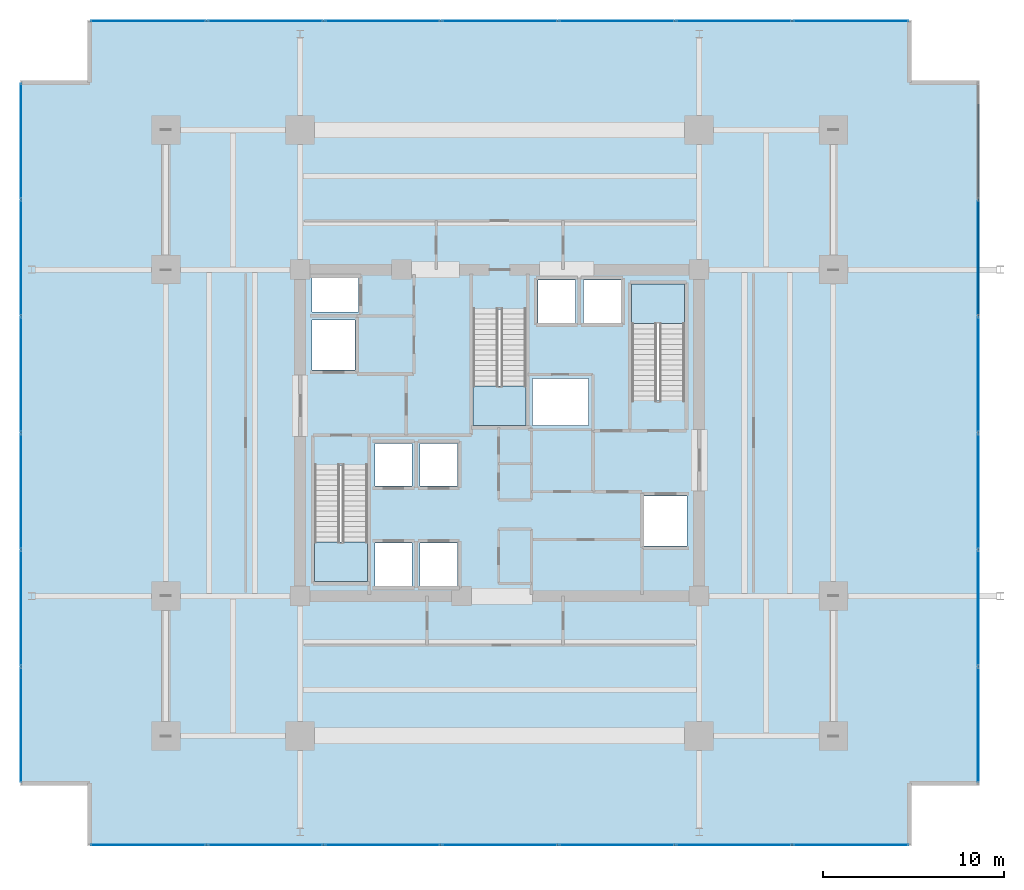
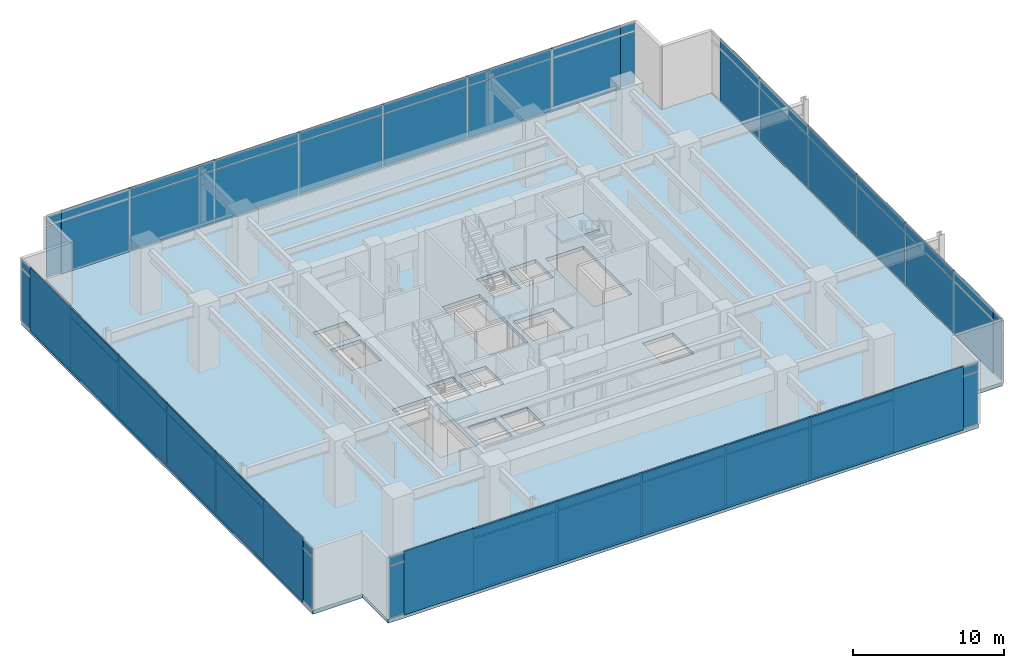
# One storey, part 18 of 23: 53 plates, 4 slabs, 7 elements without a shape of their own.
"""IFC4 building model written with IfcOpenShell, lengths in metres."""

from ifc_helpers import new_model, si_unit, direction, frame, origin, origin_2d, place, context, subcontext, project, spatial, polyline, rectangle, outline, extrude, material, layer, layer_set, type_object, element, aggregate, save


model = new_model("IFC4")

# Units and contexts
model_context = context("Model", 3, precision=1e-05, world=origin(), true_north=direction((0.0, 1.0)))
body_context = subcontext(model_context, "Body", "Model", "MODEL_VIEW")
ifc_project = project(units=[si_unit("LENGTHUNIT", "METRE"), si_unit("AREAUNIT", "SQUARE_METRE"), si_unit("VOLUMEUNIT", "CUBIC_METRE"), si_unit("PLANEANGLEUNIT", "RADIAN"), si_unit("MASSUNIT", "GRAM", prefix="KILO")], contexts=[model_context])

# Site, building, storey
site_placement = place(None, origin())
site = spatial("IfcSite", under=ifc_project, at=site_placement, CompositionType="ELEMENT")
building_placement = place(site_placement, origin())
building = spatial("IfcBuilding", under=site, at=building_placement, Name="Kovane Verandah Tower", CompositionType="ELEMENT")
storey_placement = place(building_placement, frame((0.0, 0.0, 107.60009765625)))
storey = spatial("IfcBuildingStorey", under=building, at=storey_placement, Name="L25", CompositionType="ELEMENT", Elevation=107.60009765625)

# Curtain wall, plates
ifc_material_1 = material(Name="Champagne Anodised Aluminium Frame with Low-E Clear Laminated Glass", Category="aluminium")
curtain_wall_type = type_object("IfcCurtainWallType", Name="CW-SYS-02-LOW", PredefinedType="NOTDEFINED", material=ifc_material_1)
curtain_wall_1_placement = place(storey_placement, origin())
curtain_wall_1 = element("IfcCurtainWall", 1, at=curtain_wall_1_placement, inside=storey, type_object=curtain_wall_type, Name="L25 S Unitised Curtain Wall", PredefinedType="NOTDEFINED")
ifc_material_2 = material(Name="Pale Champagne Anodised Aluminium Insulated Spandrel", Category="aluminium")
ifc_layer_1 = layer(ifc_material_2, 0.0400390625)
ifc_layer_set_1 = layer_set([ifc_layer_1], Name="Pale Champagne Anodised Aluminium Insulated Spandrel")
plate_type_1 = type_object("IfcPlateType", Name="PL-CW-SPD-40", PredefinedType="SHEET", material=ifc_layer_set_1)
plate_1_placement = place(storey_placement, frame((20.6396484375, 4.7890625, 4.3701171875), z_axis=(0.0, 0.0, 1.0), x_axis=(1.0, 0.0, 0.0)))
plate_1 = element("IfcPlate", 2, at=plate_1_placement, type_object=plate_type_1, Name="L25 S Unitised Curtain Wall Spandrel Panel 1", PredefinedType="SHEET", context=body_context, shape_type="SweptSolid", body=[
    extrude(rectangle(XDim=6.3134765625, YDim=0.0400390625, at=origin_2d()), origin(), (0.0, 0.0, 1.0), 0.639892578125),
])
plate_2_placement = place(storey_placement, frame((27.093017578125, 4.7890625, 4.3701171875), z_axis=(0.0, 0.0, 1.0), x_axis=(1.0, 0.0, 0.0)))
plate_2 = element("IfcPlate", 3, at=plate_2_placement, type_object=plate_type_1, Name="L25 S Unitised Curtain Wall Spandrel Panel 2", PredefinedType="SHEET", context=body_context, shape_type="SweptSolid", body=[
    extrude(rectangle(XDim=6.3134765625, YDim=0.0400390625, at=origin_2d()), origin(), (0.0, 0.0, 1.0), 0.639892578125),
])
plate_3_placement = place(storey_placement, frame((33.546630859375, 4.7890625, 4.3701171875), z_axis=(0.0, 0.0, 1.0), x_axis=(1.0, 0.0, 0.0)))
plate_3 = element("IfcPlate", 4, at=plate_3_placement, type_object=plate_type_1, Name="L25 S Unitised Curtain Wall Spandrel Panel 3", PredefinedType="SHEET", context=body_context, shape_type="SweptSolid", body=[
    extrude(rectangle(XDim=6.3134765625, YDim=0.0400390625, at=origin_2d()), origin(), (0.0, 0.0, 1.0), 0.639892578125),
])
plate_4_placement = place(storey_placement, frame((40.0, 4.7890625, 4.3701171875), z_axis=(0.0, 0.0, 1.0), x_axis=(1.0, 0.0, 0.0)))
plate_4 = element("IfcPlate", 5, at=plate_4_placement, type_object=plate_type_1, Name="L25 S Unitised Curtain Wall Spandrel Panel 4", PredefinedType="SHEET", context=body_context, shape_type="SweptSolid", body=[
    extrude(rectangle(XDim=6.3134765625, YDim=0.0400390625, at=origin_2d()), origin(), (0.0, 0.0, 1.0), 0.639892578125),
])
plate_5_placement = place(storey_placement, frame((46.453369140625, 4.7890625, 4.3701171875), z_axis=(0.0, 0.0, 1.0), x_axis=(1.0, 0.0, 0.0)))
plate_5 = element("IfcPlate", 6, at=plate_5_placement, type_object=plate_type_1, Name="L25 S Unitised Curtain Wall Spandrel Panel 5", PredefinedType="SHEET", context=body_context, shape_type="SweptSolid", body=[
    extrude(rectangle(XDim=6.3134765625, YDim=0.0400390625, at=origin_2d()), origin(), (0.0, 0.0, 1.0), 0.639892578125),
])
plate_6_placement = place(storey_placement, frame((52.906982421875, 4.7890625, 4.3701171875), z_axis=(0.0, 0.0, 1.0), x_axis=(1.0, 0.0, 0.0)))
plate_6 = element("IfcPlate", 7, at=plate_6_placement, type_object=plate_type_1, Name="L25 S Unitised Curtain Wall Spandrel Panel 6", PredefinedType="SHEET", context=body_context, shape_type="SweptSolid", body=[
    extrude(rectangle(XDim=6.3134765625, YDim=0.0400390625, at=origin_2d()), origin(), (0.0, 0.0, 1.0), 0.639892578125),
])
plate_7_placement = place(storey_placement, frame((59.3603515625, 4.7890625, 4.3701171875), z_axis=(0.0, 0.0, 1.0), x_axis=(1.0, 0.0, 0.0)))
plate_7 = element("IfcPlate", 8, at=plate_7_placement, type_object=plate_type_1, Name="L25 S Unitised Curtain Wall Spandrel Panel 7", PredefinedType="SHEET", context=body_context, shape_type="SweptSolid", body=[
    extrude(rectangle(XDim=6.3134765625, YDim=0.0400390625, at=origin_2d()), origin(), (0.0, 0.0, 1.0), 0.639892578125),
])

curtain_wall_2_placement = place(storey_placement, origin())
curtain_wall_2 = element("IfcCurtainWall", 9, at=curtain_wall_2_placement, inside=storey, type_object=curtain_wall_type, Name="L25 E Unitised Curtain Wall", PredefinedType="NOTDEFINED")
plate_8_placement = place(storey_placement, frame((66.386962890625, 11.40771484375, 4.3701171875), z_axis=(0.0, 0.0, 1.0), x_axis=(0.0, 1.0, 0.0)))
plate_8 = element("IfcPlate", 10, at=plate_8_placement, type_object=plate_type_1, Name="L25 E Unitised Curtain Wall Spandrel Panel 1", PredefinedType="SHEET", context=body_context, shape_type="SweptSolid", body=[
    extrude(rectangle(XDim=6.297119140625, YDim=0.0400390625, at=origin_2d()), origin(), (0.0, 0.0, 1.0), 0.639892578125),
])
plate_9_placement = place(storey_placement, frame((66.386962890625, 17.844482421875, 4.3701171875), z_axis=(0.0, 0.0, 1.0), x_axis=(0.0, 1.0, 0.0)))
plate_9 = element("IfcPlate", 11, at=plate_9_placement, type_object=plate_type_1, Name="L25 E Unitised Curtain Wall Spandrel Panel 2", PredefinedType="SHEET", context=body_context, shape_type="SweptSolid", body=[
    extrude(rectangle(XDim=6.297119140625, YDim=0.0400390625, at=origin_2d()), origin(), (0.0, 0.0, 1.0), 0.639892578125),
])
plate_10_placement = place(storey_placement, frame((66.386962890625, 24.281494140625, 4.3701171875), z_axis=(0.0, 0.0, 1.0), x_axis=(0.0, 1.0, 0.0)))
plate_10 = element("IfcPlate", 12, at=plate_10_placement, type_object=plate_type_1, Name="L25 E Unitised Curtain Wall Spandrel Panel 3", PredefinedType="SHEET", context=body_context, shape_type="SweptSolid", body=[
    extrude(rectangle(XDim=6.297119140625, YDim=0.0400390625, at=origin_2d()), origin(), (0.0, 0.0, 1.0), 0.639892578125),
])
plate_11_placement = place(storey_placement, frame((66.386962890625, 30.718505859375, 4.3701171875), z_axis=(0.0, 0.0, 1.0), x_axis=(0.0, 1.0, 0.0)))
plate_11 = element("IfcPlate", 13, at=plate_11_placement, type_object=plate_type_1, Name="L25 E Unitised Curtain Wall Spandrel Panel 4", PredefinedType="SHEET", context=body_context, shape_type="SweptSolid", body=[
    extrude(rectangle(XDim=6.297119140625, YDim=0.0400390625, at=origin_2d()), origin(), (0.0, 0.0, 1.0), 0.639892578125),
])

curtain_wall_3_placement = place(storey_placement, origin())
curtain_wall_3 = element("IfcCurtainWall", 14, at=curtain_wall_3_placement, inside=storey, type_object=curtain_wall_type, Name="L25 N Unitised Curtain Wall", PredefinedType="NOTDEFINED")
plate_12_placement = place(storey_placement, frame((59.3603515625, 50.2109375, 4.3701171875), z_axis=(0.0, 0.0, 1.0), x_axis=(-1.0, 0.0, 0.0)))
plate_12 = element("IfcPlate", 15, at=plate_12_placement, type_object=plate_type_1, Name="L25 N Unitised Curtain Wall Spandrel Panel 1", PredefinedType="SHEET", context=body_context, shape_type="SweptSolid", body=[
    extrude(rectangle(XDim=6.3134765625, YDim=0.0400390625, at=origin_2d()), origin(), (0.0, 0.0, 1.0), 0.639892578125),
])
plate_13_placement = place(storey_placement, frame((52.906982421875, 50.2109375, 4.3701171875), z_axis=(0.0, 0.0, 1.0), x_axis=(-1.0, 0.0, 0.0)))
plate_13 = element("IfcPlate", 16, at=plate_13_placement, type_object=plate_type_1, Name="L25 N Unitised Curtain Wall Spandrel Panel 2", PredefinedType="SHEET", context=body_context, shape_type="SweptSolid", body=[
    extrude(rectangle(XDim=6.3134765625, YDim=0.0400390625, at=origin_2d()), origin(), (0.0, 0.0, 1.0), 0.639892578125),
])
plate_14_placement = place(storey_placement, frame((46.453369140625, 50.2109375, 4.3701171875), z_axis=(0.0, 0.0, 1.0), x_axis=(-1.0, 0.0, 0.0)))
plate_14 = element("IfcPlate", 17, at=plate_14_placement, type_object=plate_type_1, Name="L25 N Unitised Curtain Wall Spandrel Panel 3", PredefinedType="SHEET", context=body_context, shape_type="SweptSolid", body=[
    extrude(rectangle(XDim=6.3134765625, YDim=0.0400390625, at=origin_2d()), origin(), (0.0, 0.0, 1.0), 0.639892578125),
])
plate_15_placement = place(storey_placement, frame((40.0, 50.2109375, 4.3701171875), z_axis=(0.0, 0.0, 1.0), x_axis=(-1.0, 0.0, 0.0)))
plate_15 = element("IfcPlate", 18, at=plate_15_placement, type_object=plate_type_1, Name="L25 N Unitised Curtain Wall Spandrel Panel 4", PredefinedType="SHEET", context=body_context, shape_type="SweptSolid", body=[
    extrude(rectangle(XDim=6.3134765625, YDim=0.0400390625, at=origin_2d()), origin(), (0.0, 0.0, 1.0), 0.639892578125),
])
plate_16_placement = place(storey_placement, frame((33.546630859375, 50.2109375, 4.3701171875), z_axis=(0.0, 0.0, 1.0), x_axis=(-1.0, 0.0, 0.0)))
plate_16 = element("IfcPlate", 19, at=plate_16_placement, type_object=plate_type_1, Name="L25 N Unitised Curtain Wall Spandrel Panel 5", PredefinedType="SHEET", context=body_context, shape_type="SweptSolid", body=[
    extrude(rectangle(XDim=6.3134765625, YDim=0.0400390625, at=origin_2d()), origin(), (0.0, 0.0, 1.0), 0.639892578125),
])
plate_17_placement = place(storey_placement, frame((27.093017578125, 50.2109375, 4.3701171875), z_axis=(0.0, 0.0, 1.0), x_axis=(-1.0, 0.0, 0.0)))
plate_17 = element("IfcPlate", 20, at=plate_17_placement, type_object=plate_type_1, Name="L25 N Unitised Curtain Wall Spandrel Panel 6", PredefinedType="SHEET", context=body_context, shape_type="SweptSolid", body=[
    extrude(rectangle(XDim=6.3134765625, YDim=0.0400390625, at=origin_2d()), origin(), (0.0, 0.0, 1.0), 0.639892578125),
])
plate_18_placement = place(storey_placement, frame((20.6396484375, 50.2109375, 4.3701171875), z_axis=(0.0, 0.0, 1.0), x_axis=(-1.0, 0.0, 0.0)))
plate_18 = element("IfcPlate", 21, at=plate_18_placement, type_object=plate_type_1, Name="L25 N Unitised Curtain Wall Spandrel Panel 7", PredefinedType="SHEET", context=body_context, shape_type="SweptSolid", body=[
    extrude(rectangle(XDim=6.3134765625, YDim=0.0400390625, at=origin_2d()), origin(), (0.0, 0.0, 1.0), 0.639892578125),
])

curtain_wall_4_placement = place(storey_placement, origin())
curtain_wall_4 = element("IfcCurtainWall", 22, at=curtain_wall_4_placement, inside=storey, type_object=curtain_wall_type, Name="L25 W Unitised Curtain Wall", PredefinedType="NOTDEFINED")
plate_19_placement = place(storey_placement, frame((13.613037109375, 43.59228515625, 4.3701171875), z_axis=(0.0, 0.0, 1.0), x_axis=(0.0, -1.0, 0.0)))
plate_19 = element("IfcPlate", 23, at=plate_19_placement, type_object=plate_type_1, Name="L25 W Unitised Curtain Wall Spandrel Panel 1", PredefinedType="SHEET", context=body_context, shape_type="SweptSolid", body=[
    extrude(rectangle(XDim=6.297119140625, YDim=0.0400390625, at=origin_2d()), origin(), (0.0, 0.0, 1.0), 0.639892578125),
])
plate_20_placement = place(storey_placement, frame((13.613037109375, 37.155517578125, 4.3701171875), z_axis=(0.0, 0.0, 1.0), x_axis=(0.0, -1.0, 0.0)))
plate_20 = element("IfcPlate", 24, at=plate_20_placement, type_object=plate_type_1, Name="L25 W Unitised Curtain Wall Spandrel Panel 2", PredefinedType="SHEET", context=body_context, shape_type="SweptSolid", body=[
    extrude(rectangle(XDim=6.297119140625, YDim=0.0400390625, at=origin_2d()), origin(), (0.0, 0.0, 1.0), 0.639892578125),
])
plate_21_placement = place(storey_placement, frame((13.613037109375, 30.718505859375, 4.3701171875), z_axis=(0.0, 0.0, 1.0), x_axis=(0.0, -1.0, 0.0)))
plate_21 = element("IfcPlate", 25, at=plate_21_placement, type_object=plate_type_1, Name="L25 W Unitised Curtain Wall Spandrel Panel 3", PredefinedType="SHEET", context=body_context, shape_type="SweptSolid", body=[
    extrude(rectangle(XDim=6.297119140625, YDim=0.0400390625, at=origin_2d()), origin(), (0.0, 0.0, 1.0), 0.639892578125),
])
plate_22_placement = place(storey_placement, frame((13.613037109375, 24.281494140625, 4.3701171875), z_axis=(0.0, 0.0, 1.0), x_axis=(0.0, -1.0, 0.0)))
plate_22 = element("IfcPlate", 26, at=plate_22_placement, type_object=plate_type_1, Name="L25 W Unitised Curtain Wall Spandrel Panel 4", PredefinedType="SHEET", context=body_context, shape_type="SweptSolid", body=[
    extrude(rectangle(XDim=6.297119140625, YDim=0.0400390625, at=origin_2d()), origin(), (0.0, 0.0, 1.0), 0.639892578125),
])
plate_23_placement = place(storey_placement, frame((13.613037109375, 17.844482421875, 4.3701171875), z_axis=(0.0, 0.0, 1.0), x_axis=(0.0, -1.0, 0.0)))
plate_23 = element("IfcPlate", 27, at=plate_23_placement, type_object=plate_type_1, Name="L25 W Unitised Curtain Wall Spandrel Panel 5", PredefinedType="SHEET", context=body_context, shape_type="SweptSolid", body=[
    extrude(rectangle(XDim=6.297119140625, YDim=0.0400390625, at=origin_2d()), origin(), (0.0, 0.0, 1.0), 0.639892578125),
])
plate_24_placement = place(storey_placement, frame((13.613037109375, 11.40771484375, 4.3701171875), z_axis=(0.0, 0.0, 1.0), x_axis=(0.0, -1.0, 0.0)))
plate_24 = element("IfcPlate", 28, at=plate_24_placement, type_object=plate_type_1, Name="L25 W Unitised Curtain Wall Spandrel Panel 6", PredefinedType="SHEET", context=body_context, shape_type="SweptSolid", body=[
    extrude(rectangle(XDim=6.297119140625, YDim=0.0400390625, at=origin_2d()), origin(), (0.0, 0.0, 1.0), 0.639892578125),
])

# Plate
ifc_material_3 = material(Name="Clear Low-E Laminated Double Glazing", Category="glass")
ifc_layer_2 = layer(ifc_material_3, 0.031982421875)
ifc_layer_set_2 = layer_set([ifc_layer_2], Name="Clear Low-E Laminated Double Glazing")
plate_type_2 = type_object("IfcPlateType", Name="PL-CW-VIS-32", PredefinedType="CURTAIN_PANEL", material=ifc_layer_set_2)
plate_25_placement = place(storey_placement, frame((20.6396484375, 4.7890625, 0.099853515625), z_axis=(0.0, 0.0, 1.0), x_axis=(1.0, 0.0, 0.0)))
plate_25 = element("IfcPlate", 29, at=plate_25_placement, type_object=plate_type_2, Name="L25 S Unitised Curtain Wall Vision Panel 1", PredefinedType="CURTAIN_PANEL", context=body_context, shape_type="SweptSolid", body=[
    extrude(rectangle(XDim=6.3134765625, YDim=0.031982421875, at=origin_2d()), origin(), (0.0, 0.0, 1.0), 4.169921875),
])

plate_26_placement = place(storey_placement, frame((27.093017578125, 4.7890625, 0.099853515625), z_axis=(0.0, 0.0, 1.0), x_axis=(1.0, 0.0, 0.0)))
plate_26 = element("IfcPlate", 30, at=plate_26_placement, type_object=plate_type_2, Name="L25 S Unitised Curtain Wall Vision Panel 2", PredefinedType="CURTAIN_PANEL", context=body_context, shape_type="SweptSolid", body=[
    extrude(rectangle(XDim=6.3134765625, YDim=0.031982421875, at=origin_2d()), origin(), (0.0, 0.0, 1.0), 4.169921875),
])

plate_27_placement = place(storey_placement, frame((33.546630859375, 4.7890625, 0.099853515625), z_axis=(0.0, 0.0, 1.0), x_axis=(1.0, 0.0, 0.0)))
plate_27 = element("IfcPlate", 31, at=plate_27_placement, type_object=plate_type_2, Name="L25 S Unitised Curtain Wall Vision Panel 3", PredefinedType="CURTAIN_PANEL", context=body_context, shape_type="SweptSolid", body=[
    extrude(rectangle(XDim=6.3134765625, YDim=0.031982421875, at=origin_2d()), origin(), (0.0, 0.0, 1.0), 4.169921875),
])

plate_28_placement = place(storey_placement, frame((40.0, 4.7890625, 0.099853515625), z_axis=(0.0, 0.0, 1.0), x_axis=(1.0, 0.0, 0.0)))
plate_28 = element("IfcPlate", 32, at=plate_28_placement, type_object=plate_type_2, Name="L25 S Unitised Curtain Wall Vision Panel 4", PredefinedType="CURTAIN_PANEL", context=body_context, shape_type="SweptSolid", body=[
    extrude(rectangle(XDim=6.3134765625, YDim=0.031982421875, at=origin_2d()), origin(), (0.0, 0.0, 1.0), 4.169921875),
])

plate_29_placement = place(storey_placement, frame((46.453369140625, 4.7890625, 0.099853515625), z_axis=(0.0, 0.0, 1.0), x_axis=(1.0, 0.0, 0.0)))
plate_29 = element("IfcPlate", 33, at=plate_29_placement, type_object=plate_type_2, Name="L25 S Unitised Curtain Wall Vision Panel 5", PredefinedType="CURTAIN_PANEL", context=body_context, shape_type="SweptSolid", body=[
    extrude(rectangle(XDim=6.3134765625, YDim=0.031982421875, at=origin_2d()), origin(), (0.0, 0.0, 1.0), 4.169921875),
])

plate_30_placement = place(storey_placement, frame((52.906982421875, 4.7890625, 0.099853515625), z_axis=(0.0, 0.0, 1.0), x_axis=(1.0, 0.0, 0.0)))
plate_30 = element("IfcPlate", 34, at=plate_30_placement, type_object=plate_type_2, Name="L25 S Unitised Curtain Wall Vision Panel 6", PredefinedType="CURTAIN_PANEL", context=body_context, shape_type="SweptSolid", body=[
    extrude(rectangle(XDim=6.3134765625, YDim=0.031982421875, at=origin_2d()), origin(), (0.0, 0.0, 1.0), 4.169921875),
])

plate_31_placement = place(storey_placement, frame((59.3603515625, 4.7890625, 0.099853515625), z_axis=(0.0, 0.0, 1.0), x_axis=(1.0, 0.0, 0.0)))
plate_31 = element("IfcPlate", 35, at=plate_31_placement, type_object=plate_type_2, Name="L25 S Unitised Curtain Wall Vision Panel 7", PredefinedType="CURTAIN_PANEL", context=body_context, shape_type="SweptSolid", body=[
    extrude(rectangle(XDim=6.3134765625, YDim=0.031982421875, at=origin_2d()), origin(), (0.0, 0.0, 1.0), 4.169921875),
])

aggregate(curtain_wall_1, [plate_25, plate_1, plate_26, plate_2, plate_27, plate_3, plate_28, plate_4, plate_29, plate_5, plate_30, plate_6, plate_31, plate_7])

plate_32_placement = place(storey_placement, frame((66.386962890625, 11.40771484375, 0.099853515625), z_axis=(0.0, 0.0, 1.0), x_axis=(0.0, 1.0, 0.0)))
plate_32 = element("IfcPlate", 36, at=plate_32_placement, type_object=plate_type_2, Name="L25 E Unitised Curtain Wall Vision Panel 1", PredefinedType="CURTAIN_PANEL", context=body_context, shape_type="SweptSolid", body=[
    extrude(rectangle(XDim=6.297119140625, YDim=0.031982421875, at=origin_2d()), origin(), (0.0, 0.0, 1.0), 4.169921875),
])

plate_33_placement = place(storey_placement, frame((66.386962890625, 17.844482421875, 0.099853515625), z_axis=(0.0, 0.0, 1.0), x_axis=(0.0, 1.0, 0.0)))
plate_33 = element("IfcPlate", 37, at=plate_33_placement, type_object=plate_type_2, Name="L25 E Unitised Curtain Wall Vision Panel 2", PredefinedType="CURTAIN_PANEL", context=body_context, shape_type="SweptSolid", body=[
    extrude(rectangle(XDim=6.297119140625, YDim=0.031982421875, at=origin_2d()), origin(), (0.0, 0.0, 1.0), 4.169921875),
])

plate_34_placement = place(storey_placement, frame((66.386962890625, 24.281494140625, 0.099853515625), z_axis=(0.0, 0.0, 1.0), x_axis=(0.0, 1.0, 0.0)))
plate_34 = element("IfcPlate", 38, at=plate_34_placement, type_object=plate_type_2, Name="L25 E Unitised Curtain Wall Vision Panel 3", PredefinedType="CURTAIN_PANEL", context=body_context, shape_type="SweptSolid", body=[
    extrude(rectangle(XDim=6.297119140625, YDim=0.031982421875, at=origin_2d()), origin(), (0.0, 0.0, 1.0), 4.169921875),
])

plate_35_placement = place(storey_placement, frame((66.386962890625, 30.718505859375, 0.099853515625), z_axis=(0.0, 0.0, 1.0), x_axis=(0.0, 1.0, 0.0)))
plate_35 = element("IfcPlate", 39, at=plate_35_placement, type_object=plate_type_2, Name="L25 E Unitised Curtain Wall Vision Panel 4", PredefinedType="CURTAIN_PANEL", context=body_context, shape_type="SweptSolid", body=[
    extrude(rectangle(XDim=6.297119140625, YDim=0.031982421875, at=origin_2d()), origin(), (0.0, 0.0, 1.0), 4.169921875),
])

plate_36_placement = place(storey_placement, frame((66.386962890625, 37.155517578125, 0.099853515625), z_axis=(0.0, 0.0, 1.0), x_axis=(0.0, 1.0, 0.0)))
plate_36 = element("IfcPlate", 40, at=plate_36_placement, type_object=plate_type_2, Name="L25 E Unitised Curtain Wall Vision Panel 5", PredefinedType="CURTAIN_PANEL", context=body_context, shape_type="SweptSolid", body=[
    extrude(rectangle(XDim=6.297119140625, YDim=0.031982421875, at=origin_2d()), origin(), (0.0, 0.0, 1.0), 4.169921875),
])

aggregate(curtain_wall_2, [plate_32, plate_8, plate_33, plate_9, plate_34, plate_10, plate_35, plate_11, plate_36])

plate_37_placement = place(storey_placement, frame((59.3603515625, 50.2109375, 0.099853515625), z_axis=(0.0, 0.0, 1.0), x_axis=(-1.0, 0.0, 0.0)))
plate_37 = element("IfcPlate", 41, at=plate_37_placement, type_object=plate_type_2, Name="L25 N Unitised Curtain Wall Vision Panel 1", PredefinedType="CURTAIN_PANEL", context=body_context, shape_type="SweptSolid", body=[
    extrude(rectangle(XDim=6.3134765625, YDim=0.031982421875, at=origin_2d()), origin(), (0.0, 0.0, 1.0), 4.169921875),
])

plate_38_placement = place(storey_placement, frame((52.906982421875, 50.2109375, 0.099853515625), z_axis=(0.0, 0.0, 1.0), x_axis=(-1.0, 0.0, 0.0)))
plate_38 = element("IfcPlate", 42, at=plate_38_placement, type_object=plate_type_2, Name="L25 N Unitised Curtain Wall Vision Panel 2", PredefinedType="CURTAIN_PANEL", context=body_context, shape_type="SweptSolid", body=[
    extrude(rectangle(XDim=6.3134765625, YDim=0.031982421875, at=origin_2d()), origin(), (0.0, 0.0, 1.0), 4.169921875),
])

plate_39_placement = place(storey_placement, frame((46.453369140625, 50.2109375, 0.099853515625), z_axis=(0.0, 0.0, 1.0), x_axis=(-1.0, 0.0, 0.0)))
plate_39 = element("IfcPlate", 43, at=plate_39_placement, type_object=plate_type_2, Name="L25 N Unitised Curtain Wall Vision Panel 3", PredefinedType="CURTAIN_PANEL", context=body_context, shape_type="SweptSolid", body=[
    extrude(rectangle(XDim=6.3134765625, YDim=0.031982421875, at=origin_2d()), origin(), (0.0, 0.0, 1.0), 4.169921875),
])

plate_40_placement = place(storey_placement, frame((40.0, 50.2109375, 0.099853515625), z_axis=(0.0, 0.0, 1.0), x_axis=(-1.0, 0.0, 0.0)))
plate_40 = element("IfcPlate", 44, at=plate_40_placement, type_object=plate_type_2, Name="L25 N Unitised Curtain Wall Vision Panel 4", PredefinedType="CURTAIN_PANEL", context=body_context, shape_type="SweptSolid", body=[
    extrude(rectangle(XDim=6.3134765625, YDim=0.031982421875, at=origin_2d()), origin(), (0.0, 0.0, 1.0), 4.169921875),
])

plate_41_placement = place(storey_placement, frame((33.546630859375, 50.2109375, 0.099853515625), z_axis=(0.0, 0.0, 1.0), x_axis=(-1.0, 0.0, 0.0)))
plate_41 = element("IfcPlate", 45, at=plate_41_placement, type_object=plate_type_2, Name="L25 N Unitised Curtain Wall Vision Panel 5", PredefinedType="CURTAIN_PANEL", context=body_context, shape_type="SweptSolid", body=[
    extrude(rectangle(XDim=6.3134765625, YDim=0.031982421875, at=origin_2d()), origin(), (0.0, 0.0, 1.0), 4.169921875),
])

plate_42_placement = place(storey_placement, frame((27.093017578125, 50.2109375, 0.099853515625), z_axis=(0.0, 0.0, 1.0), x_axis=(-1.0, 0.0, 0.0)))
plate_42 = element("IfcPlate", 46, at=plate_42_placement, type_object=plate_type_2, Name="L25 N Unitised Curtain Wall Vision Panel 6", PredefinedType="CURTAIN_PANEL", context=body_context, shape_type="SweptSolid", body=[
    extrude(rectangle(XDim=6.3134765625, YDim=0.031982421875, at=origin_2d()), origin(), (0.0, 0.0, 1.0), 4.169921875),
])

plate_43_placement = place(storey_placement, frame((20.6396484375, 50.2109375, 0.099853515625), z_axis=(0.0, 0.0, 1.0), x_axis=(-1.0, 0.0, 0.0)))
plate_43 = element("IfcPlate", 47, at=plate_43_placement, type_object=plate_type_2, Name="L25 N Unitised Curtain Wall Vision Panel 7", PredefinedType="CURTAIN_PANEL", context=body_context, shape_type="SweptSolid", body=[
    extrude(rectangle(XDim=6.3134765625, YDim=0.031982421875, at=origin_2d()), origin(), (0.0, 0.0, 1.0), 4.169921875),
])

aggregate(curtain_wall_3, [plate_37, plate_12, plate_38, plate_13, plate_39, plate_14, plate_40, plate_15, plate_41, plate_16, plate_42, plate_17, plate_43, plate_18])

plate_44_placement = place(storey_placement, frame((13.613037109375, 43.59228515625, 0.099853515625), z_axis=(0.0, 0.0, 1.0), x_axis=(0.0, -1.0, 0.0)))
plate_44 = element("IfcPlate", 48, at=plate_44_placement, type_object=plate_type_2, Name="L25 W Unitised Curtain Wall Vision Panel 1", PredefinedType="CURTAIN_PANEL", context=body_context, shape_type="SweptSolid", body=[
    extrude(rectangle(XDim=6.297119140625, YDim=0.031982421875, at=origin_2d()), origin(), (0.0, 0.0, 1.0), 4.169921875),
])

plate_45_placement = place(storey_placement, frame((13.613037109375, 37.155517578125, 0.099853515625), z_axis=(0.0, 0.0, 1.0), x_axis=(0.0, -1.0, 0.0)))
plate_45 = element("IfcPlate", 49, at=plate_45_placement, type_object=plate_type_2, Name="L25 W Unitised Curtain Wall Vision Panel 2", PredefinedType="CURTAIN_PANEL", context=body_context, shape_type="SweptSolid", body=[
    extrude(rectangle(XDim=6.297119140625, YDim=0.031982421875, at=origin_2d()), origin(), (0.0, 0.0, 1.0), 4.169921875),
])

plate_46_placement = place(storey_placement, frame((13.613037109375, 30.718505859375, 0.099853515625), z_axis=(0.0, 0.0, 1.0), x_axis=(0.0, -1.0, 0.0)))
plate_46 = element("IfcPlate", 50, at=plate_46_placement, type_object=plate_type_2, Name="L25 W Unitised Curtain Wall Vision Panel 3", PredefinedType="CURTAIN_PANEL", context=body_context, shape_type="SweptSolid", body=[
    extrude(rectangle(XDim=6.297119140625, YDim=0.031982421875, at=origin_2d()), origin(), (0.0, 0.0, 1.0), 4.169921875),
])

plate_47_placement = place(storey_placement, frame((13.613037109375, 24.281494140625, 0.099853515625), z_axis=(0.0, 0.0, 1.0), x_axis=(0.0, -1.0, 0.0)))
plate_47 = element("IfcPlate", 51, at=plate_47_placement, type_object=plate_type_2, Name="L25 W Unitised Curtain Wall Vision Panel 4", PredefinedType="CURTAIN_PANEL", context=body_context, shape_type="SweptSolid", body=[
    extrude(rectangle(XDim=6.297119140625, YDim=0.031982421875, at=origin_2d()), origin(), (0.0, 0.0, 1.0), 4.169921875),
])

plate_48_placement = place(storey_placement, frame((13.613037109375, 17.844482421875, 0.099853515625), z_axis=(0.0, 0.0, 1.0), x_axis=(0.0, -1.0, 0.0)))
plate_48 = element("IfcPlate", 52, at=plate_48_placement, type_object=plate_type_2, Name="L25 W Unitised Curtain Wall Vision Panel 5", PredefinedType="CURTAIN_PANEL", context=body_context, shape_type="SweptSolid", body=[
    extrude(rectangle(XDim=6.297119140625, YDim=0.031982421875, at=origin_2d()), origin(), (0.0, 0.0, 1.0), 4.169921875),
])

plate_49_placement = place(storey_placement, frame((13.613037109375, 11.40771484375, 0.099853515625), z_axis=(0.0, 0.0, 1.0), x_axis=(0.0, -1.0, 0.0)))
plate_49 = element("IfcPlate", 53, at=plate_49_placement, type_object=plate_type_2, Name="L25 W Unitised Curtain Wall Vision Panel 6", PredefinedType="CURTAIN_PANEL", context=body_context, shape_type="SweptSolid", body=[
    extrude(rectangle(XDim=6.297119140625, YDim=0.031982421875, at=origin_2d()), origin(), (0.0, 0.0, 1.0), 4.169921875),
])

aggregate(curtain_wall_4, [plate_44, plate_19, plate_45, plate_20, plate_46, plate_21, plate_47, plate_22, plate_48, plate_23, plate_49, plate_24])

# Plates
ifc_material_4 = material(Name="Cyclone-Rated Acoustic Storm Aluminium Louvre", Category="aluminium")
ifc_layer_3 = layer(ifc_material_4, 0.074951171875)
ifc_layer_set_3 = layer_set([ifc_layer_3], Name="Cyclone-Rated Acoustic Storm Aluminium Louvre")
plate_type_3 = type_object("IfcPlateType", Name="PL-LOUVRE-75", PredefinedType="USERDEFINED", material=ifc_layer_set_3)
plate_50_placement = place(storey_placement, frame((40.0, 4.774169921875, -0.02001953125), z_axis=(0.0, 0.0, 1.0), x_axis=(1.0, 0.0, 0.0)))
element("IfcPlate", 54, at=plate_50_placement, inside=storey, type_object=plate_type_3, Name="L25 S Cyclone Storm Louvre Bank", ObjectType="LOUVRE", PredefinedType="USERDEFINED", context=body_context, shape_type="SweptSolid", body=[
    extrude(rectangle(XDim=42.77392578125, YDim=0.074951171875, at=origin_2d()), origin(), (0.0, 0.0, 1.0), 5.159912109375),
])
plate_51_placement = place(storey_placement, frame((66.402099609375, 27.5, -0.02001953125), z_axis=(0.0, 0.0, 1.0), x_axis=(0.0, 1.0, 0.0)))
element("IfcPlate", 55, at=plate_51_placement, inside=storey, type_object=plate_type_3, Name="L25 E Cyclone Storm Louvre Bank", ObjectType="LOUVRE", PredefinedType="USERDEFINED", context=body_context, shape_type="SweptSolid", body=[
    extrude(rectangle(XDim=36.221923828125, YDim=0.074951171875, at=origin_2d()), origin(), (0.0, 0.0, 1.0), 5.159912109375),
])
plate_52_placement = place(storey_placement, frame((40.0, 50.225830078125, -0.02001953125), z_axis=(0.0, 0.0, 1.0), x_axis=(-1.0, 0.0, 0.0)))
element("IfcPlate", 56, at=plate_52_placement, inside=storey, type_object=plate_type_3, Name="L25 N Cyclone Storm Louvre Bank", ObjectType="LOUVRE", PredefinedType="USERDEFINED", context=body_context, shape_type="SweptSolid", body=[
    extrude(rectangle(XDim=42.77392578125, YDim=0.074951171875, at=origin_2d()), origin(), (0.0, 0.0, 1.0), 5.159912109375),
])
plate_53_placement = place(storey_placement, frame((13.597900390625, 27.5, -0.02001953125), z_axis=(0.0, 0.0, 1.0), x_axis=(0.0, -1.0, 0.0)))
element("IfcPlate", 57, at=plate_53_placement, inside=storey, type_object=plate_type_3, Name="L25 W Cyclone Storm Louvre Bank", ObjectType="LOUVRE", PredefinedType="USERDEFINED", context=body_context, shape_type="SweptSolid", body=[
    extrude(rectangle(XDim=36.221923828125, YDim=0.074951171875, at=origin_2d()), origin(), (0.0, 0.0, 1.0), 5.159912109375),
])

# Slab
ifc_material_5 = material(Name="Concrete C60/75", Category="concrete")
ifc_layer_4 = layer(ifc_material_5, 0.300048828125)
ifc_layer_set_4 = layer_set([ifc_layer_4], Name="Concrete C60/75")
slab_type_1 = type_object("IfcSlabType", Name="SL-HVY-300", PredefinedType="FLOOR", material=ifc_layer_set_4)
slab_1_placement = place(storey_placement, frame((0.0, 0.0, -0.300048828125)))
element("IfcSlab", 58, at=slab_1_placement, inside=storey, type_object=slab_type_1, Name="L25 Structural Floor Slab", PredefinedType="FLOOR", context=body_context, shape_type="SweptSolid", body=[
    extrude(outline(polyline([(17.4130859375, 4.7890625), (62.5869140625, 4.7890625), (62.5869140625, 8.189208984375), (66.386962890625, 8.189208984375), (66.386962890625, 46.810791015625), (62.5869140625, 46.810791015625), (62.5869140625, 50.2109375), (17.4130859375, 50.2109375), (17.4130859375, 46.810791015625), (13.613037109375, 46.810791015625), (13.613037109375, 8.189208984375), (17.4130859375, 8.189208984375), (17.4130859375, 4.7890625)]), holes=[polyline([(29.800048828125, 19.300048828125), (32.719970703125, 19.300048828125), (32.719970703125, 25.705078125), (29.800048828125, 25.705078125), (29.800048828125, 19.300048828125)]), polyline([(47.280029296875, 29.294921875), (50.199951171875, 29.294921875), (50.199951171875, 35.699951171875), (47.280029296875, 35.699951171875), (47.280029296875, 29.294921875)]), polyline([(38.5400390625, 27.89990234375), (41.4599609375, 27.89990234375), (41.4599609375, 34.304931640625), (38.5400390625, 34.304931640625), (38.5400390625, 27.89990234375)]), polyline([(29.669921875, 30.969970703125), (32.030029296875, 30.969970703125), (32.030029296875, 33.72998046875), (29.669921875, 33.72998046875), (29.669921875, 30.969970703125)]), polyline([(47.969970703125, 21.27001953125), (50.330078125, 21.27001953125), (50.330078125, 24.030029296875), (47.969970703125, 24.030029296875), (47.969970703125, 21.27001953125)]), polyline([(29.669921875, 34.169921875), (32.22998046875, 34.169921875), (32.22998046875, 36.030029296875), (29.669921875, 36.030029296875), (29.669921875, 34.169921875)]), polyline([(33.1201171875, 19.070068359375), (35.179931640625, 19.070068359375), (35.179931640625, 21.429931640625), (33.1201171875, 21.429931640625), (33.1201171875, 19.070068359375)]), polyline([(35.6201171875, 19.070068359375), (37.679931640625, 19.070068359375), (37.679931640625, 21.429931640625), (35.6201171875, 21.429931640625), (35.6201171875, 19.070068359375)]), polyline([(33.1201171875, 24.570068359375), (35.179931640625, 24.570068359375), (35.179931640625, 26.929931640625), (33.1201171875, 26.929931640625), (33.1201171875, 24.570068359375)]), polyline([(35.6201171875, 24.570068359375), (37.679931640625, 24.570068359375), (37.679931640625, 26.929931640625), (35.6201171875, 26.929931640625), (35.6201171875, 24.570068359375)]), polyline([(42.1201171875, 33.570068359375), (44.179931640625, 33.570068359375), (44.179931640625, 35.929931640625), (42.1201171875, 35.929931640625), (42.1201171875, 33.570068359375)]), polyline([(44.6201171875, 33.570068359375), (46.679931640625, 33.570068359375), (46.679931640625, 35.929931640625), (44.6201171875, 35.929931640625), (44.6201171875, 33.570068359375)]), polyline([(41.800048828125, 27.89990234375), (44.89990234375, 27.89990234375), (44.89990234375, 30.5), (41.800048828125, 30.5), (41.800048828125, 27.89990234375)])]), origin(), (0.0, 0.0, 1.0), 0.300048828125),
])

# Stair, slab
ifc_material_6 = material(Name="Concrete C45/55", Category="concrete")
stair_type = type_object("IfcStairType", Name="ST-CORE-1380", PredefinedType="HALF_TURN_STAIR", material=ifc_material_6)
stair_1_placement = place(storey_placement, origin())
stair_1 = element("IfcStair", 59, at=stair_1_placement, inside=storey, type_object=stair_type, Name="L25 Exit Stair ST-01", PredefinedType="HALF_TURN_STAIR")
ifc_layer_5 = layer(ifc_material_6, 0.199951171875)
ifc_layer_set_5 = layer_set([ifc_layer_5], Name="Concrete C45/55")
slab_type_2 = type_object("IfcSlabType", Name="SL-LAND-200", PredefinedType="LANDING", material=ifc_layer_set_5)
slab_2_placement = place(storey_placement, frame((0.0, 0.0, 2.5)))
slab_2 = element("IfcSlab", 60, at=slab_2_placement, type_object=slab_type_2, Name="ST-01 landing 1", PredefinedType="LANDING", context=body_context, shape_type="SweptSolid", body=[
    extrude(outline(polyline([(29.800048828125, 21.47509765625), (29.800048828125, 19.300048828125), (32.719970703125, 19.300048828125), (32.719970703125, 21.47509765625), (29.800048828125, 21.47509765625)])), origin(), (0.0, 0.0, 1.0), 0.199951171875),
])
aggregate(stair_1, [slab_2])

stair_2_placement = place(storey_placement, origin())
stair_2 = element("IfcStair", 61, at=stair_2_placement, inside=storey, type_object=stair_type, Name="L25 Exit Stair ST-02", PredefinedType="HALF_TURN_STAIR")
slab_3_placement = place(storey_placement, frame((0.0, 0.0, 2.5)))
slab_3 = element("IfcSlab", 62, at=slab_3_placement, type_object=slab_type_2, Name="ST-02 landing 1", PredefinedType="LANDING", context=body_context, shape_type="SweptSolid", body=[
    extrude(outline(polyline([(50.199951171875, 33.52490234375), (50.199951171875, 35.699951171875), (47.280029296875, 35.699951171875), (47.280029296875, 33.52490234375), (50.199951171875, 33.52490234375)])), origin(), (0.0, 0.0, 1.0), 0.199951171875),
])
aggregate(stair_2, [slab_3])

stair_3_placement = place(storey_placement, origin())
stair_3 = element("IfcStair", 63, at=stair_3_placement, inside=storey, type_object=stair_type, Name="L25 Exit Stair ST-03", PredefinedType="HALF_TURN_STAIR")
slab_4_placement = place(storey_placement, frame((0.0, 0.0, 2.5)))
slab_4 = element("IfcSlab", 64, at=slab_4_placement, type_object=slab_type_2, Name="ST-03 landing 1", PredefinedType="LANDING", context=body_context, shape_type="SweptSolid", body=[
    extrude(outline(polyline([(38.5400390625, 30.074951171875), (38.5400390625, 27.89990234375), (41.4599609375, 27.89990234375), (41.4599609375, 30.074951171875), (38.5400390625, 30.074951171875)])), origin(), (0.0, 0.0, 1.0), 0.199951171875),
])
aggregate(stair_3, [slab_4])

save(model, "model.ifc")
